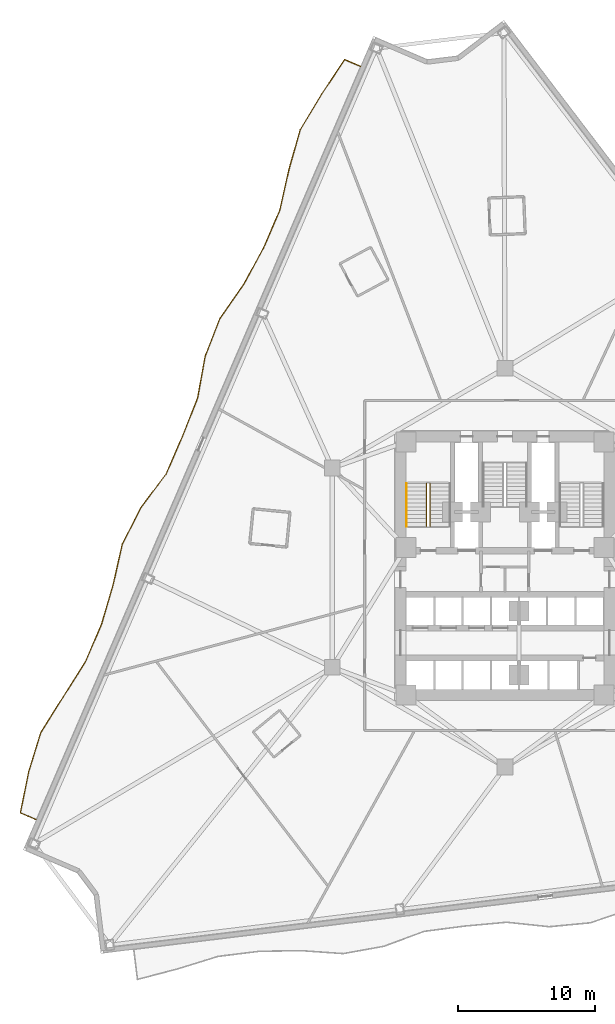
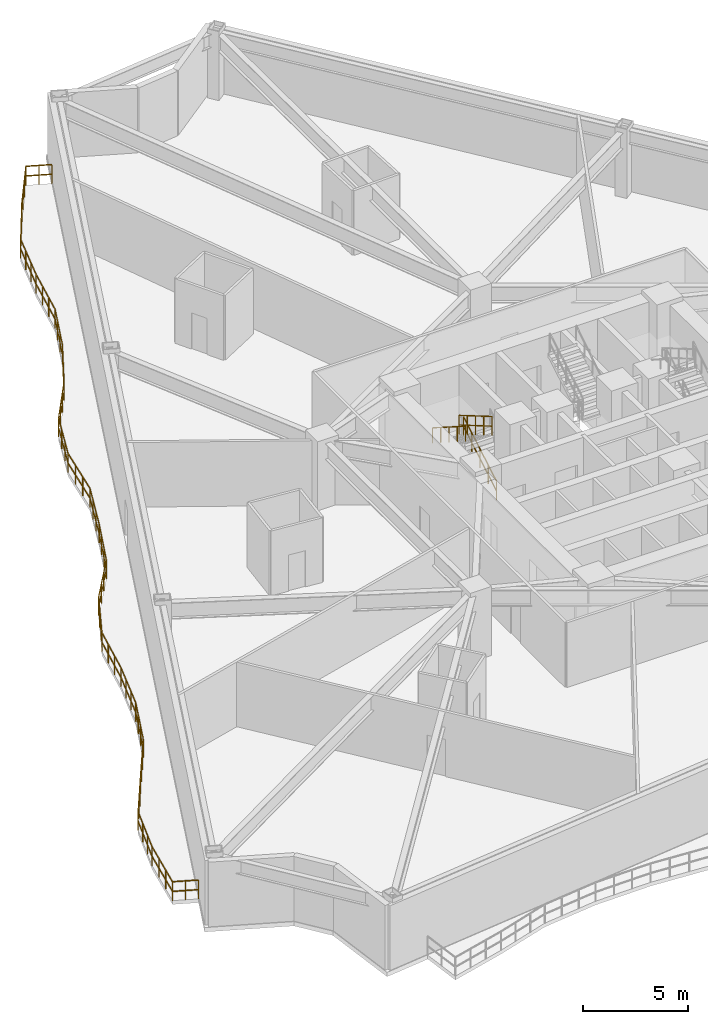
# One storey, part 11 of 12: 4 railings.
"""IFC4 building model written with IfcOpenShell, lengths in metres."""

from ifc_helpers import new_model, si_unit, direction, frame, origin, origin_2d, place, context, subcontext, project, spatial, rectangle, extrude, material, type_object, element, save


model = new_model("IFC4")

# Units and contexts
model_context = context("Model", 3, precision=1e-05, world=origin(), true_north=direction((0.0, 1.0)))
body_context = subcontext(model_context, "Body", "Model", "MODEL_VIEW")
ifc_project = project(units=[si_unit("LENGTHUNIT", "METRE"), si_unit("AREAUNIT", "SQUARE_METRE"), si_unit("VOLUMEUNIT", "CUBIC_METRE"), si_unit("PLANEANGLEUNIT", "RADIAN"), si_unit("MASSUNIT", "GRAM", prefix="KILO")], contexts=[model_context])

# Site, building, storey
site_placement = place(None, origin())
site = spatial("IfcSite", under=ifc_project, at=site_placement, CompositionType="ELEMENT")
building_placement = place(site_placement, origin())
building = spatial("IfcBuilding", under=site, at=building_placement, Name="Apsidion Concourse Tower", CompositionType="ELEMENT")
storey_placement = place(building_placement, frame((0.0, 0.0, 71.0)))
storey = spatial("IfcBuildingStorey", under=building, at=storey_placement, Name="L15", CompositionType="ELEMENT", Elevation=71.0)

# Railings
ifc_material = material(Name="Brushed stainless steel 316", Category="steel")
railing_type_1 = type_object("IfcRailingType", Name="RL-BAL-1120", PredefinedType="BALUSTRADE", material=ifc_material)
railing_1_placement = place(storey_placement, frame((-34.10107421875, -18.32958984375, 0.0)))
element("IfcRailing", 1, at=railing_1_placement, inside=storey, type_object=railing_type_1, Name="L15 Face 1 Rippling Balcony Balustrade", PredefinedType="BALUSTRADE", context=body_context, shape_type="SweptSolid", body=[
    extrude(rectangle(XDim=0.048095703125, YDim=0.048095703125, at=origin_2d()), frame((0.0, 0.0, 1.09619140625), z_axis=(-0.918547942359, 0.395309597137, 0.0), x_axis=(-0.395309597137, -0.918547942359, 0.0)), (0.0, 0.0, 1.0), 1.25),
    extrude(rectangle(XDim=0.048095703125, YDim=0.048095703125, at=origin_2d()), frame((0.0, 0.0, 0.5361328125), z_axis=(-0.918547942359, 0.395309597137, 0.0), x_axis=(-0.395309597137, -0.918547942359, 0.0)), (0.0, 0.0, 1.0), 1.25),
    extrude(rectangle(XDim=0.048095703125, YDim=0.048095703125, at=origin_2d()), frame((-1.148193359375, 0.494140625, 1.09619140625), z_axis=(0.199242651334, 0.979950185412, 0.0), x_axis=(-0.979950185412, 0.199242651334, 0.0)), (0.0, 0.0, 1.0), 3.04736328125),
    extrude(rectangle(XDim=0.048095703125, YDim=0.048095703125, at=origin_2d()), frame((-1.148193359375, 0.494140625, 0.5361328125), z_axis=(0.199242651334, 0.979950185412, 0.0), x_axis=(-0.979950185412, 0.199242651334, 0.0)), (0.0, 0.0, 1.0), 3.04736328125),
    extrude(rectangle(XDim=0.048095703125, YDim=0.048095703125, at=origin_2d()), frame((-0.541015625, 3.48046875, 1.09619140625), z_axis=(0.29449181163, 0.955654002703, 0.0), x_axis=(-0.955654002703, 0.29449181163, 0.0)), (0.0, 0.0, 1.0), 3.000244140625),
    extrude(rectangle(XDim=0.048095703125, YDim=0.048095703125, at=origin_2d()), frame((-0.541015625, 3.48046875, 0.5361328125), z_axis=(0.29449181163, 0.955654002703, 0.0), x_axis=(-0.955654002703, 0.29449181163, 0.0)), (0.0, 0.0, 1.0), 3.000244140625),
    extrude(rectangle(XDim=0.048095703125, YDim=0.048095703125, at=origin_2d()), frame((0.342529296875, 6.34765625, 1.09619140625), z_axis=(0.532620241965, 0.846354345324, 0.0), x_axis=(-0.846354345324, 0.532620241965, 0.0)), (0.0, 0.0, 1.0), 3.019287109375),
    extrude(rectangle(XDim=0.048095703125, YDim=0.048095703125, at=origin_2d()), frame((0.342529296875, 6.34765625, 0.5361328125), z_axis=(0.532620241965, 0.846354345324, 0.0), x_axis=(-0.846354345324, 0.532620241965, 0.0)), (0.0, 0.0, 1.0), 3.019287109375),
    extrude(rectangle(XDim=0.048095703125, YDim=0.048095703125, at=origin_2d()), frame((1.95068359375, 8.903076171875, 1.09619140625), z_axis=(0.535986194108, 0.84422674663, 0.0), x_axis=(-0.84422674663, 0.535986194108, 0.0)), (0.0, 0.0, 1.0), 3.020751953125),
    extrude(rectangle(XDim=0.048095703125, YDim=0.048095703125, at=origin_2d()), frame((1.95068359375, 8.903076171875, 0.5361328125), z_axis=(0.535986194108, 0.84422674663, 0.0), x_axis=(-0.84422674663, 0.535986194108, 0.0)), (0.0, 0.0, 1.0), 3.020751953125),
    extrude(rectangle(XDim=0.048095703125, YDim=0.048095703125, at=origin_2d()), frame((3.56982421875, 11.453369140625, 1.09619140625), z_axis=(0.395380675093, 0.918517349734, 0.0), x_axis=(-0.918517349734, 0.395380675093, 0.0)), (0.0, 0.0, 1.0), 2.983154296875),
    extrude(rectangle(XDim=0.048095703125, YDim=0.048095703125, at=origin_2d()), frame((3.56982421875, 11.453369140625, 0.5361328125), z_axis=(0.395380675093, 0.918517349734, 0.0), x_axis=(-0.918517349734, 0.395380675093, 0.0)), (0.0, 0.0, 1.0), 2.983154296875),
    extrude(rectangle(XDim=0.048095703125, YDim=0.048095703125, at=origin_2d()), frame((4.749267578125, 14.193359375, 1.09619140625), z_axis=(0.282289502238, 0.959329264083, 0.0), x_axis=(-0.959329264083, 0.282289502238, 0.0)), (0.0, 0.0, 1.0), 3.004638671875),
    extrude(rectangle(XDim=0.048095703125, YDim=0.048095703125, at=origin_2d()), frame((4.749267578125, 14.193359375, 0.5361328125), z_axis=(0.282289502238, 0.959329264083, 0.0), x_axis=(-0.959329264083, 0.282289502238, 0.0)), (0.0, 0.0, 1.0), 3.004638671875),
    extrude(rectangle(XDim=0.048095703125, YDim=0.048095703125, at=origin_2d()), frame((5.597412109375, 17.07568359375, 1.09619140625), z_axis=(0.219450940565, 0.975623536353, 0.0), x_axis=(-0.975623536353, 0.219450940565, 0.0)), (0.0, 0.0, 1.0), 3.034912109375),
    extrude(rectangle(XDim=0.048095703125, YDim=0.048095703125, at=origin_2d()), frame((5.597412109375, 17.07568359375, 0.5361328125), z_axis=(0.219450940565, 0.975623536353, 0.0), x_axis=(-0.975623536353, 0.219450940565, 0.0)), (0.0, 0.0, 1.0), 3.034912109375),
    extrude(rectangle(XDim=0.048095703125, YDim=0.048095703125, at=origin_2d()), frame((6.263427734375, 20.03662109375, 1.09619140625), z_axis=(0.455588684433, 0.890190401328, 0.0), x_axis=(-0.890190401328, 0.455588684433, 0.0)), (0.0, 0.0, 1.0), 2.98974609375),
    extrude(rectangle(XDim=0.048095703125, YDim=0.048095703125, at=origin_2d()), frame((6.263427734375, 20.03662109375, 0.5361328125), z_axis=(0.455588684433, 0.890190401328, 0.0), x_axis=(-0.890190401328, 0.455588684433, 0.0)), (0.0, 0.0, 1.0), 2.98974609375),
    extrude(rectangle(XDim=0.048095703125, YDim=0.048095703125, at=origin_2d()), frame((7.62548828125, 22.697998046875, 1.09619140625), z_axis=(0.598240846142, 0.801316348272, 0.0), x_axis=(-0.801316348272, 0.598240846142, 0.0)), (0.0, 0.0, 1.0), 3.06689453125),
    extrude(rectangle(XDim=0.048095703125, YDim=0.048095703125, at=origin_2d()), frame((7.62548828125, 22.697998046875, 0.5361328125), z_axis=(0.598240846142, 0.801316348272, 0.0), x_axis=(-0.801316348272, 0.598240846142, 0.0)), (0.0, 0.0, 1.0), 3.06689453125),
    extrude(rectangle(XDim=0.048095703125, YDim=0.048095703125, at=origin_2d()), frame((9.460205078125, 25.155517578125, 1.09619140625), z_axis=(0.397837105196, 0.917456068555, 0.0), x_axis=(-0.917456068555, 0.397837105196, 0.0)), (0.0, 0.0, 1.0), 2.983154296875),
    extrude(rectangle(XDim=0.048095703125, YDim=0.048095703125, at=origin_2d()), frame((9.460205078125, 25.155517578125, 0.5361328125), z_axis=(0.397837105196, 0.917456068555, 0.0), x_axis=(-0.917456068555, 0.397837105196, 0.0)), (0.0, 0.0, 1.0), 2.983154296875),
    extrude(rectangle(XDim=0.048095703125, YDim=0.048095703125, at=origin_2d()), frame((10.64697265625, 27.892333984375, 1.09619140625), z_axis=(0.368144226414, 0.929768696267, 0.0), x_axis=(-0.929768696267, 0.368144226414, 0.0)), (0.0, 0.0, 1.0), 2.984130859375),
    extrude(rectangle(XDim=0.048095703125, YDim=0.048095703125, at=origin_2d()), frame((10.64697265625, 27.892333984375, 0.5361328125), z_axis=(0.368144226414, 0.929768696267, 0.0), x_axis=(-0.929768696267, 0.368144226414, 0.0)), (0.0, 0.0, 1.0), 2.984130859375),
    extrude(rectangle(XDim=0.048095703125, YDim=0.048095703125, at=origin_2d()), frame((11.74560546875, 30.6669921875, 1.09619140625), z_axis=(0.176472000334, 0.984305660401, 0.0), x_axis=(-0.984305660401, 0.176472000334, 0.0)), (0.0, 0.0, 1.0), 3.06298828125),
    extrude(rectangle(XDim=0.048095703125, YDim=0.048095703125, at=origin_2d()), frame((11.74560546875, 30.6669921875, 0.5361328125), z_axis=(0.176472000334, 0.984305660401, 0.0), x_axis=(-0.984305660401, 0.176472000334, 0.0)), (0.0, 0.0, 1.0), 3.06298828125),
    extrude(rectangle(XDim=0.048095703125, YDim=0.048095703125, at=origin_2d()), frame((12.2861328125, 33.681884765625, 1.09619140625), z_axis=(0.363026463413, 0.93177882937, 0.0), x_axis=(-0.93177882937, 0.363026463413, 0.0)), (0.0, 0.0, 1.0), 2.984619140625),
    extrude(rectangle(XDim=0.048095703125, YDim=0.048095703125, at=origin_2d()), frame((12.2861328125, 33.681884765625, 0.5361328125), z_axis=(0.363026463413, 0.93177882937, 0.0), x_axis=(-0.93177882937, 0.363026463413, 0.0)), (0.0, 0.0, 1.0), 2.984619140625),
    extrude(rectangle(XDim=0.048095703125, YDim=0.048095703125, at=origin_2d()), frame((13.36962890625, 36.462890625, 1.09619140625), z_axis=(0.572515084494, 0.819894187092, 0.0), x_axis=(-0.819894187092, 0.572515084494, 0.0)), (0.0, 0.0, 1.0), 3.045654296875),
    extrude(rectangle(XDim=0.048095703125, YDim=0.048095703125, at=origin_2d()), frame((13.36962890625, 36.462890625, 0.5361328125), z_axis=(0.572515084494, 0.819894187092, 0.0), x_axis=(-0.819894187092, 0.572515084494, 0.0)), (0.0, 0.0, 1.0), 3.045654296875),
    extrude(rectangle(XDim=0.048095703125, YDim=0.048095703125, at=origin_2d()), frame((15.11328125, 38.9599609375, 1.09619140625), z_axis=(0.477755395079, 0.878492904054, 0.0), x_axis=(-0.878492904054, 0.477755395079, 0.0)), (0.0, 0.0, 1.0), 2.99560546875),
    extrude(rectangle(XDim=0.048095703125, YDim=0.048095703125, at=origin_2d()), frame((15.11328125, 38.9599609375, 0.5361328125), z_axis=(0.477755395079, 0.878492904054, 0.0), x_axis=(-0.878492904054, 0.477755395079, 0.0)), (0.0, 0.0, 1.0), 2.99560546875),
    extrude(rectangle(XDim=0.048095703125, YDim=0.048095703125, at=origin_2d()), frame((16.54443359375, 41.591552734375, 1.09619140625), z_axis=(0.395410399338, 0.918504554205, 0.0), x_axis=(-0.918504554205, 0.395410399338, 0.0)), (0.0, 0.0, 1.0), 2.98291015625),
    extrude(rectangle(XDim=0.048095703125, YDim=0.048095703125, at=origin_2d()), frame((16.54443359375, 41.591552734375, 0.5361328125), z_axis=(0.395410399338, 0.918504554205, 0.0), x_axis=(-0.918504554205, 0.395410399338, 0.0)), (0.0, 0.0, 1.0), 2.98291015625),
    extrude(rectangle(XDim=0.048095703125, YDim=0.048095703125, at=origin_2d()), frame((17.723876953125, 44.331298828125, 1.09619140625), z_axis=(0.218880487154, 0.975751675552, 0.0), x_axis=(-0.975751675552, 0.218880487154, 0.0)), (0.0, 0.0, 1.0), 3.034912109375),
    extrude(rectangle(XDim=0.048095703125, YDim=0.048095703125, at=origin_2d()), frame((17.723876953125, 44.331298828125, 0.5361328125), z_axis=(0.218880487154, 0.975751675552, 0.0), x_axis=(-0.975751675552, 0.218880487154, 0.0)), (0.0, 0.0, 1.0), 3.034912109375),
    extrude(rectangle(XDim=0.048095703125, YDim=0.048095703125, at=origin_2d()), frame((18.38818359375, 47.292724609375, 1.09619140625), z_axis=(0.2732523428, 0.961942387648, 0.0), x_axis=(-0.961942387648, 0.2732523428, 0.0)), (0.0, 0.0, 1.0), 3.00830078125),
    extrude(rectangle(XDim=0.048095703125, YDim=0.048095703125, at=origin_2d()), frame((18.38818359375, 47.292724609375, 0.5361328125), z_axis=(0.2732523428, 0.961942387648, 0.0), x_axis=(-0.961942387648, 0.2732523428, 0.0)), (0.0, 0.0, 1.0), 3.00830078125),
    extrude(rectangle(XDim=0.048095703125, YDim=0.048095703125, at=origin_2d()), frame((19.210205078125, 50.1865234375, 1.09619140625), z_axis=(0.515473394806, 0.856905583625, 0.0), x_axis=(-0.856905583625, 0.515473394806, 0.0)), (0.0, 0.0, 1.0), 3.01025390625),
    extrude(rectangle(XDim=0.048095703125, YDim=0.048095703125, at=origin_2d()), frame((19.210205078125, 50.1865234375, 0.5361328125), z_axis=(0.515473394806, 0.856905583625, 0.0), x_axis=(-0.856905583625, 0.515473394806, 0.0)), (0.0, 0.0, 1.0), 3.01025390625),
    extrude(rectangle(XDim=0.048095703125, YDim=0.048095703125, at=origin_2d()), frame((20.761962890625, 52.76611328125, 1.09619140625), z_axis=(0.554012546521, 0.832508317254, 0.0), x_axis=(-0.832508317254, 0.554012546521, 0.0)), (0.0, 0.0, 1.0), 3.0322265625),
    extrude(rectangle(XDim=0.048095703125, YDim=0.048095703125, at=origin_2d()), frame((20.761962890625, 52.76611328125, 0.5361328125), z_axis=(0.554012546521, 0.832508317254, 0.0), x_axis=(-0.832508317254, 0.554012546521, 0.0)), (0.0, 0.0, 1.0), 3.0322265625),
    extrude(rectangle(XDim=0.048095703125, YDim=0.048095703125, at=origin_2d()), frame((22.44189453125, 55.29052734375, 1.09619140625), z_axis=(0.918547942359, -0.395309597137, 0.0), x_axis=(0.395309597137, 0.918547942359, 0.0)), (0.0, 0.0, 1.0), 1.25),
    extrude(rectangle(XDim=0.048095703125, YDim=0.048095703125, at=origin_2d()), frame((22.44189453125, 55.29052734375, 0.5361328125), z_axis=(0.918547942359, -0.395309597137, 0.0), x_axis=(0.395309597137, 0.918547942359, 0.0)), (0.0, 0.0, 1.0), 1.25),
    extrude(rectangle(XDim=0.0419921875, YDim=0.0419921875, at=origin_2d()), origin(), (0.0, 0.0, 1.0), 1.072021484375),
    extrude(rectangle(XDim=0.0419921875, YDim=0.0419921875, at=origin_2d()), frame((-0.57421875, 0.2470703125, 0.0)), (0.0, 0.0, 1.0), 1.072021484375),
    extrude(rectangle(XDim=0.0419921875, YDim=0.0419921875, at=origin_2d()), frame((-1.148193359375, 0.494140625, 0.0)), (0.0, 0.0, 1.0), 1.072021484375),
    extrude(rectangle(XDim=0.0419921875, YDim=0.0419921875, at=origin_2d()), frame((-0.94580078125, 1.489501953125, 0.0)), (0.0, 0.0, 1.0), 1.072021484375),
    extrude(rectangle(XDim=0.0419921875, YDim=0.0419921875, at=origin_2d()), frame((-0.743408203125, 2.485107421875, 0.0)), (0.0, 0.0, 1.0), 1.072021484375),
    extrude(rectangle(XDim=0.0419921875, YDim=0.0419921875, at=origin_2d()), frame((-0.541015625, 3.48046875, 0.0)), (0.0, 0.0, 1.0), 1.072021484375),
    extrude(rectangle(XDim=0.0419921875, YDim=0.0419921875, at=origin_2d()), frame((-0.24658203125, 4.436279296875, 0.0)), (0.0, 0.0, 1.0), 1.072021484375),
    extrude(rectangle(XDim=0.0419921875, YDim=0.0419921875, at=origin_2d()), frame((0.048095703125, 5.391845703125, 0.0)), (0.0, 0.0, 1.0), 1.072021484375),
    extrude(rectangle(XDim=0.0419921875, YDim=0.0419921875, at=origin_2d()), frame((0.342529296875, 6.34765625, 0.0)), (0.0, 0.0, 1.0), 1.072021484375),
    extrude(rectangle(XDim=0.0419921875, YDim=0.0419921875, at=origin_2d()), frame((0.878662109375, 7.199462890625, 0.0)), (0.0, 0.0, 1.0), 1.072021484375),
    extrude(rectangle(XDim=0.0419921875, YDim=0.0419921875, at=origin_2d()), frame((1.41455078125, 8.05126953125, 0.0)), (0.0, 0.0, 1.0), 1.072021484375),
    extrude(rectangle(XDim=0.0419921875, YDim=0.0419921875, at=origin_2d()), frame((1.95068359375, 8.903076171875, 0.0)), (0.0, 0.0, 1.0), 1.072021484375),
    extrude(rectangle(XDim=0.0419921875, YDim=0.0419921875, at=origin_2d()), frame((2.490478515625, 9.753173828125, 0.0)), (0.0, 0.0, 1.0), 1.072021484375),
    extrude(rectangle(XDim=0.0419921875, YDim=0.0419921875, at=origin_2d()), frame((3.030029296875, 10.603271484375, 0.0)), (0.0, 0.0, 1.0), 1.072021484375),
    extrude(rectangle(XDim=0.0419921875, YDim=0.0419921875, at=origin_2d()), frame((3.56982421875, 11.453369140625, 0.0)), (0.0, 0.0, 1.0), 1.072021484375),
    extrude(rectangle(XDim=0.0419921875, YDim=0.0419921875, at=origin_2d()), frame((3.962890625, 12.36669921875, 0.0)), (0.0, 0.0, 1.0), 1.072021484375),
    extrude(rectangle(XDim=0.0419921875, YDim=0.0419921875, at=origin_2d()), frame((4.356201171875, 13.280029296875, 0.0)), (0.0, 0.0, 1.0), 1.072021484375),
    extrude(rectangle(XDim=0.0419921875, YDim=0.0419921875, at=origin_2d()), frame((4.749267578125, 14.193359375, 0.0)), (0.0, 0.0, 1.0), 1.072021484375),
    extrude(rectangle(XDim=0.0419921875, YDim=0.0419921875, at=origin_2d()), frame((5.031982421875, 15.154052734375, 0.0)), (0.0, 0.0, 1.0), 1.072021484375),
    extrude(rectangle(XDim=0.0419921875, YDim=0.0419921875, at=origin_2d()), frame((5.314697265625, 16.114990234375, 0.0)), (0.0, 0.0, 1.0), 1.072021484375),
    extrude(rectangle(XDim=0.0419921875, YDim=0.0419921875, at=origin_2d()), frame((5.597412109375, 17.07568359375, 0.0)), (0.0, 0.0, 1.0), 1.072021484375),
    extrude(rectangle(XDim=0.0419921875, YDim=0.0419921875, at=origin_2d()), frame((5.8193359375, 18.062744140625, 0.0)), (0.0, 0.0, 1.0), 1.072021484375),
    extrude(rectangle(XDim=0.0419921875, YDim=0.0419921875, at=origin_2d()), frame((6.04150390625, 19.049560546875, 0.0)), (0.0, 0.0, 1.0), 1.072021484375),
    extrude(rectangle(XDim=0.0419921875, YDim=0.0419921875, at=origin_2d()), frame((6.263427734375, 20.03662109375, 0.0)), (0.0, 0.0, 1.0), 1.072021484375),
    extrude(rectangle(XDim=0.0419921875, YDim=0.0419921875, at=origin_2d()), frame((6.717529296875, 20.923828125, 0.0)), (0.0, 0.0, 1.0), 1.072021484375),
    extrude(rectangle(XDim=0.0419921875, YDim=0.0419921875, at=origin_2d()), frame((7.17138671875, 21.810791015625, 0.0)), (0.0, 0.0, 1.0), 1.072021484375),
    extrude(rectangle(XDim=0.0419921875, YDim=0.0419921875, at=origin_2d()), frame((7.62548828125, 22.697998046875, 0.0)), (0.0, 0.0, 1.0), 1.072021484375),
    extrude(rectangle(XDim=0.0419921875, YDim=0.0419921875, at=origin_2d()), frame((8.237060546875, 23.51708984375, 0.0)), (0.0, 0.0, 1.0), 1.072021484375),
    extrude(rectangle(XDim=0.0419921875, YDim=0.0419921875, at=origin_2d()), frame((8.8486328125, 24.33642578125, 0.0)), (0.0, 0.0, 1.0), 1.072021484375),
    extrude(rectangle(XDim=0.0419921875, YDim=0.0419921875, at=origin_2d()), frame((9.460205078125, 25.155517578125, 0.0)), (0.0, 0.0, 1.0), 1.072021484375),
    extrude(rectangle(XDim=0.0419921875, YDim=0.0419921875, at=origin_2d()), frame((9.855712890625, 26.06787109375, 0.0)), (0.0, 0.0, 1.0), 1.072021484375),
    extrude(rectangle(XDim=0.0419921875, YDim=0.0419921875, at=origin_2d()), frame((10.25146484375, 26.97998046875, 0.0)), (0.0, 0.0, 1.0), 1.072021484375),
    extrude(rectangle(XDim=0.0419921875, YDim=0.0419921875, at=origin_2d()), frame((10.64697265625, 27.892333984375, 0.0)), (0.0, 0.0, 1.0), 1.072021484375),
    extrude(rectangle(XDim=0.0419921875, YDim=0.0419921875, at=origin_2d()), frame((11.01318359375, 28.817138671875, 0.0)), (0.0, 0.0, 1.0), 1.072021484375),
    extrude(rectangle(XDim=0.0419921875, YDim=0.0419921875, at=origin_2d()), frame((11.37939453125, 29.7421875, 0.0)), (0.0, 0.0, 1.0), 1.072021484375),
    extrude(rectangle(XDim=0.0419921875, YDim=0.0419921875, at=origin_2d()), frame((11.74560546875, 30.6669921875, 0.0)), (0.0, 0.0, 1.0), 1.072021484375),
    extrude(rectangle(XDim=0.0419921875, YDim=0.0419921875, at=origin_2d()), frame((11.92578125, 31.671875, 0.0)), (0.0, 0.0, 1.0), 1.072021484375),
    extrude(rectangle(XDim=0.0419921875, YDim=0.0419921875, at=origin_2d()), frame((12.10595703125, 32.677001953125, 0.0)), (0.0, 0.0, 1.0), 1.072021484375),
    extrude(rectangle(XDim=0.0419921875, YDim=0.0419921875, at=origin_2d()), frame((12.2861328125, 33.681884765625, 0.0)), (0.0, 0.0, 1.0), 1.072021484375),
    extrude(rectangle(XDim=0.0419921875, YDim=0.0419921875, at=origin_2d()), frame((12.647216796875, 34.60888671875, 0.0)), (0.0, 0.0, 1.0), 1.072021484375),
    extrude(rectangle(XDim=0.0419921875, YDim=0.0419921875, at=origin_2d()), frame((13.008544921875, 35.535888671875, 0.0)), (0.0, 0.0, 1.0), 1.072021484375),
    extrude(rectangle(XDim=0.0419921875, YDim=0.0419921875, at=origin_2d()), frame((13.36962890625, 36.462890625, 0.0)), (0.0, 0.0, 1.0), 1.072021484375),
    extrude(rectangle(XDim=0.0419921875, YDim=0.0419921875, at=origin_2d()), frame((13.950927734375, 37.295166015625, 0.0)), (0.0, 0.0, 1.0), 1.072021484375),
    extrude(rectangle(XDim=0.0419921875, YDim=0.0419921875, at=origin_2d()), frame((14.531982421875, 38.127685546875, 0.0)), (0.0, 0.0, 1.0), 1.072021484375),
    extrude(rectangle(XDim=0.0419921875, YDim=0.0419921875, at=origin_2d()), frame((15.11328125, 38.9599609375, 0.0)), (0.0, 0.0, 1.0), 1.072021484375),
    extrude(rectangle(XDim=0.0419921875, YDim=0.0419921875, at=origin_2d()), frame((15.59033203125, 39.837158203125, 0.0)), (0.0, 0.0, 1.0), 1.072021484375),
    extrude(rectangle(XDim=0.0419921875, YDim=0.0419921875, at=origin_2d()), frame((16.0673828125, 40.71435546875, 0.0)), (0.0, 0.0, 1.0), 1.072021484375),
    extrude(rectangle(XDim=0.0419921875, YDim=0.0419921875, at=origin_2d()), frame((16.54443359375, 41.591552734375, 0.0)), (0.0, 0.0, 1.0), 1.072021484375),
    extrude(rectangle(XDim=0.0419921875, YDim=0.0419921875, at=origin_2d()), frame((16.9375, 42.5048828125, 0.0)), (0.0, 0.0, 1.0), 1.072021484375),
    extrude(rectangle(XDim=0.0419921875, YDim=0.0419921875, at=origin_2d()), frame((17.330810546875, 43.41796875, 0.0)), (0.0, 0.0, 1.0), 1.072021484375),
    extrude(rectangle(XDim=0.0419921875, YDim=0.0419921875, at=origin_2d()), frame((17.723876953125, 44.331298828125, 0.0)), (0.0, 0.0, 1.0), 1.072021484375),
    extrude(rectangle(XDim=0.0419921875, YDim=0.0419921875, at=origin_2d()), frame((17.9453125, 45.318359375, 0.0)), (0.0, 0.0, 1.0), 1.072021484375),
    extrude(rectangle(XDim=0.0419921875, YDim=0.0419921875, at=origin_2d()), frame((18.166748046875, 46.3056640625, 0.0)), (0.0, 0.0, 1.0), 1.072021484375),
    extrude(rectangle(XDim=0.0419921875, YDim=0.0419921875, at=origin_2d()), frame((18.38818359375, 47.292724609375, 0.0)), (0.0, 0.0, 1.0), 1.072021484375),
    extrude(rectangle(XDim=0.0419921875, YDim=0.0419921875, at=origin_2d()), frame((18.662109375, 48.25732421875, 0.0)), (0.0, 0.0, 1.0), 1.072021484375),
    extrude(rectangle(XDim=0.0419921875, YDim=0.0419921875, at=origin_2d()), frame((18.936279296875, 49.221923828125, 0.0)), (0.0, 0.0, 1.0), 1.072021484375),
    extrude(rectangle(XDim=0.0419921875, YDim=0.0419921875, at=origin_2d()), frame((19.210205078125, 50.1865234375, 0.0)), (0.0, 0.0, 1.0), 1.072021484375),
    extrude(rectangle(XDim=0.0419921875, YDim=0.0419921875, at=origin_2d()), frame((19.7275390625, 51.04638671875, 0.0)), (0.0, 0.0, 1.0), 1.072021484375),
    extrude(rectangle(XDim=0.0419921875, YDim=0.0419921875, at=origin_2d()), frame((20.24462890625, 51.90625, 0.0)), (0.0, 0.0, 1.0), 1.072021484375),
    extrude(rectangle(XDim=0.0419921875, YDim=0.0419921875, at=origin_2d()), frame((20.761962890625, 52.76611328125, 0.0)), (0.0, 0.0, 1.0), 1.072021484375),
    extrude(rectangle(XDim=0.0419921875, YDim=0.0419921875, at=origin_2d()), frame((21.322021484375, 53.607666015625, 0.0)), (0.0, 0.0, 1.0), 1.072021484375),
    extrude(rectangle(XDim=0.0419921875, YDim=0.0419921875, at=origin_2d()), frame((21.8818359375, 54.448974609375, 0.0)), (0.0, 0.0, 1.0), 1.072021484375),
    extrude(rectangle(XDim=0.0419921875, YDim=0.0419921875, at=origin_2d()), frame((22.44189453125, 55.29052734375, 0.0)), (0.0, 0.0, 1.0), 1.072021484375),
    extrude(rectangle(XDim=0.0419921875, YDim=0.0419921875, at=origin_2d()), frame((23.01611328125, 55.04345703125, 0.0)), (0.0, 0.0, 1.0), 1.072021484375),
    extrude(rectangle(XDim=0.0419921875, YDim=0.0419921875, at=origin_2d()), frame((23.590087890625, 54.79638671875, 0.0)), (0.0, 0.0, 1.0), 1.072021484375),
])
railing_type_2 = type_object("IfcRailingType", Name="RL-GUARD-1100", PredefinedType="GUARDRAIL", material=ifc_material)
railing_2_placement = place(storey_placement, frame((-5.449951171875, 3.0, 0.166748046875)))
element("IfcRailing", 2, at=railing_2_placement, inside=storey, type_object=railing_type_2, Name="L15 ST1 stair guard 1", PredefinedType="GUARDRAIL", context=body_context, shape_type="SweptSolid", body=[
    extrude(rectangle(XDim=0.048095703125, YDim=0.048095703125, at=origin_2d()), frame((0.0, 0.0, 1.09619140625), z_axis=(0.0, 0.863239559939, 0.504794475164), x_axis=(-1.0, 0.0, 0.0)), (0.0, 0.0, 1.0), 3.631591796875),
    extrude(rectangle(XDim=0.048095703125, YDim=0.048095703125, at=origin_2d()), frame((0.0, 0.0, 0.5361328125), z_axis=(0.0, 0.863239559939, 0.504794475164), x_axis=(-1.0, 0.0, 0.0)), (0.0, 0.0, 1.0), 3.631591796875),
    extrude(rectangle(XDim=0.0419921875, YDim=0.0419921875, at=origin_2d()), origin(), (0.0, 0.0, 1.0), 1.072021484375),
    extrude(rectangle(XDim=0.0419921875, YDim=0.0419921875, at=origin_2d()), frame((0.0, 0.78369140625, 0.458251953125)), (0.0, 0.0, 1.0), 1.072021484375),
    extrude(rectangle(XDim=0.0419921875, YDim=0.0419921875, at=origin_2d()), frame((0.0, 1.5673828125, 0.91650390625)), (0.0, 0.0, 1.0), 1.072021484375),
    extrude(rectangle(XDim=0.0419921875, YDim=0.0419921875, at=origin_2d()), frame((0.0, 2.351318359375, 1.375)), (0.0, 0.0, 1.0), 1.072021484375),
    extrude(rectangle(XDim=0.0419921875, YDim=0.0419921875, at=origin_2d()), frame((0.0, 3.135009765625, 1.833251953125)), (0.0, 0.0, 1.0), 1.072021484375),
])
railing_3_placement = place(storey_placement, frame((-5.699951171875, 6.135009765625, 2.166748046875)))
element("IfcRailing", 3, at=railing_3_placement, inside=storey, type_object=railing_type_2, Name="L15 ST1 stair guard 3", PredefinedType="GUARDRAIL", context=body_context, shape_type="SweptSolid", body=[
    extrude(rectangle(XDim=0.048095703125, YDim=0.048095703125, at=origin_2d()), frame((0.0, 0.0, 1.09619140625), z_axis=(0.0, -0.863239559939, 0.504794475164), x_axis=(1.0, 0.0, 0.0)), (0.0, 0.0, 1.0), 3.631591796875),
    extrude(rectangle(XDim=0.048095703125, YDim=0.048095703125, at=origin_2d()), frame((0.0, 0.0, 0.5361328125), z_axis=(0.0, -0.863239559939, 0.504794475164), x_axis=(1.0, 0.0, 0.0)), (0.0, 0.0, 1.0), 3.631591796875),
    extrude(rectangle(XDim=0.0419921875, YDim=0.0419921875, at=origin_2d()), origin(), (0.0, 0.0, 1.0), 1.072021484375),
    extrude(rectangle(XDim=0.0419921875, YDim=0.0419921875, at=origin_2d()), frame((0.0, -0.78369140625, 0.458251953125)), (0.0, 0.0, 1.0), 1.072021484375),
    extrude(rectangle(XDim=0.0419921875, YDim=0.0419921875, at=origin_2d()), frame((0.0, -1.5673828125, 0.91650390625)), (0.0, 0.0, 1.0), 1.072021484375),
    extrude(rectangle(XDim=0.0419921875, YDim=0.0419921875, at=origin_2d()), frame((0.0, -2.351318359375, 1.375)), (0.0, 0.0, 1.0), 1.072021484375),
    extrude(rectangle(XDim=0.0419921875, YDim=0.0419921875, at=origin_2d()), frame((0.0, -3.135009765625, 1.833251953125)), (0.0, 0.0, 1.0), 1.072021484375),
])
railing_type_3 = type_object("IfcRailingType", Name="RL-HAND-900", PredefinedType="HANDRAIL", material=ifc_material)
railing_4_placement = place(storey_placement, frame((-7.14990234375, 6.135009765625, 2.166748046875)))
element("IfcRailing", 4, at=railing_4_placement, inside=storey, type_object=railing_type_3, Name="L15 ST1 stair handrail 2", PredefinedType="HANDRAIL", context=body_context, shape_type="SweptSolid", body=[
    extrude(rectangle(XDim=0.048095703125, YDim=0.048095703125, at=origin_2d()), frame((0.0, 0.0, 0.8759765625), z_axis=(0.0, -0.843052688722, 0.537830980921), x_axis=(1.0, 0.0, 0.0)), (0.0, 0.0, 1.0), 3.71875),
    extrude(rectangle(XDim=0.0419921875, YDim=0.0419921875, at=origin_2d()), origin(), (0.0, 0.0, 1.0), 0.851806640625),
    extrude(rectangle(XDim=0.0419921875, YDim=0.0419921875, at=origin_2d()), frame((0.0, -0.78369140625, 0.5)), (0.0, 0.0, 1.0), 0.851806640625),
    extrude(rectangle(XDim=0.0419921875, YDim=0.0419921875, at=origin_2d()), frame((0.0, -1.5673828125, 1.0)), (0.0, 0.0, 1.0), 0.851806640625),
    extrude(rectangle(XDim=0.0419921875, YDim=0.0419921875, at=origin_2d()), frame((0.0, -2.351318359375, 1.5)), (0.0, 0.0, 1.0), 0.851806640625),
    extrude(rectangle(XDim=0.0419921875, YDim=0.0419921875, at=origin_2d()), frame((0.0, -3.135009765625, 2.0)), (0.0, 0.0, 1.0), 0.851806640625),
])

save(model, "model.ifc")
